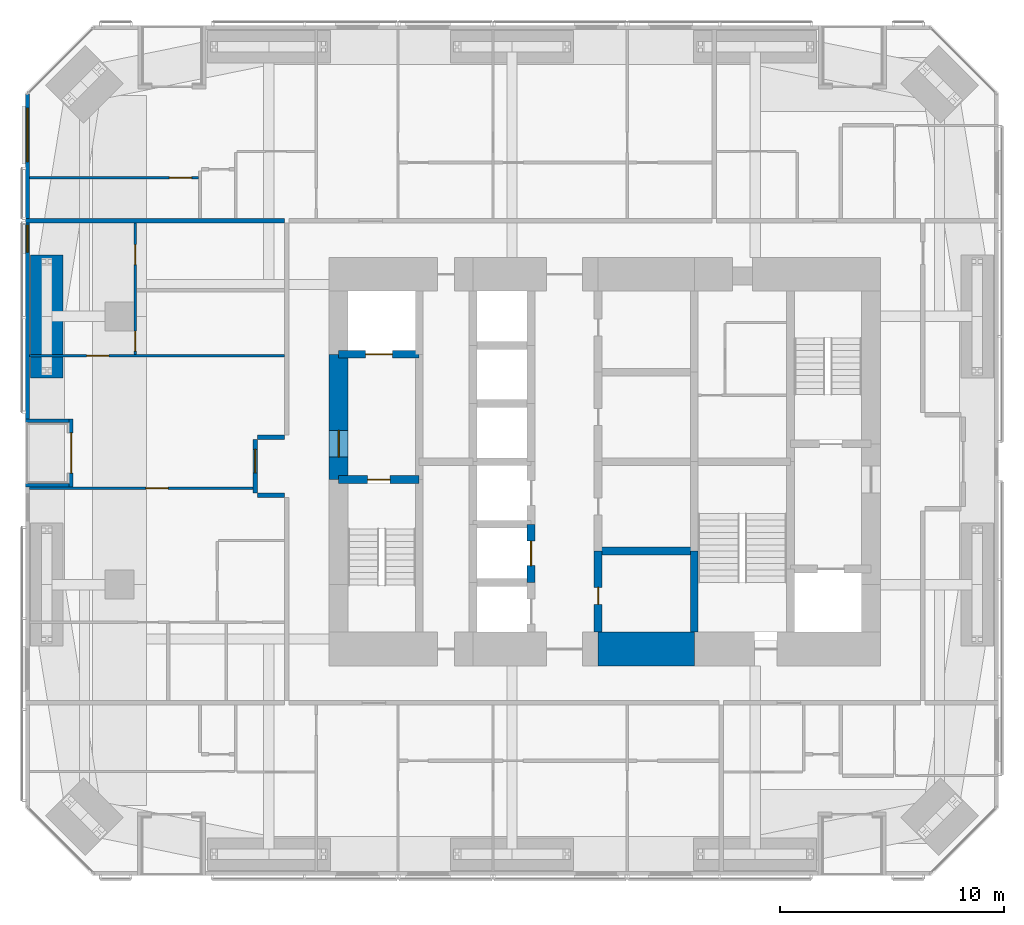
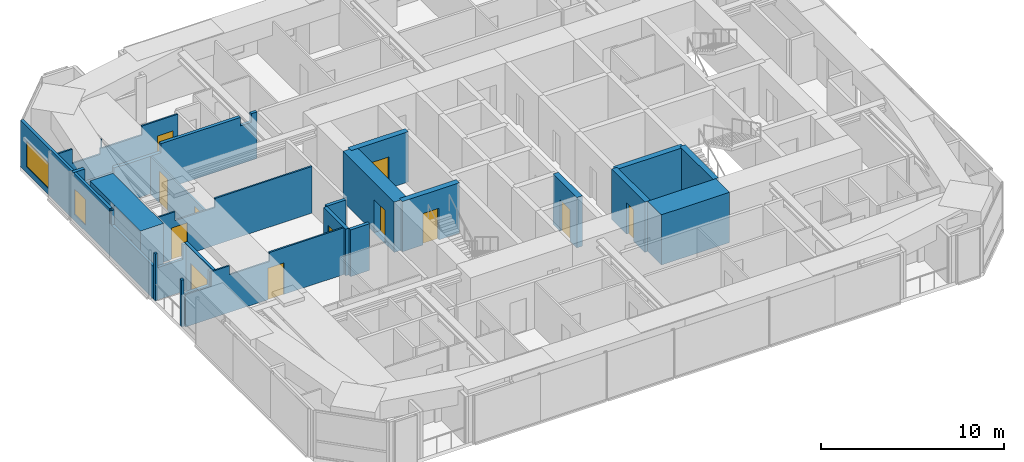
# One storey, part 18 of 23: 21 walls, 12 doors, 2 windows, 14 openings.
"""IFC4 building model written with IfcOpenShell, lengths in metres."""

from ifc_helpers import new_model, si_unit, direction, frame, frame_2d, origin, place, context, subcontext, project, spatial, polyline, rectangle, outline, extrude, material, layer, layer_set, constituent, constituent_set, type_object, element, fill, save


model = new_model("IFC4")

# Units and contexts
model_context = context("Model", 3, precision=1e-05, world=origin(), true_north=direction((0.0, 1.0)))
body_context = subcontext(model_context, "Body", "Model", "MODEL_VIEW")
ifc_project = project(units=[si_unit("LENGTHUNIT", "METRE"), si_unit("AREAUNIT", "SQUARE_METRE"), si_unit("VOLUMEUNIT", "CUBIC_METRE"), si_unit("PLANEANGLEUNIT", "RADIAN"), si_unit("MASSUNIT", "GRAM", prefix="KILO")], contexts=[model_context])

# Site, building, storey
site_placement = place(None, origin())
site = spatial("IfcSite", under=ifc_project, at=site_placement, CompositionType="ELEMENT")
building_placement = place(site_placement, origin())
building = spatial("IfcBuilding", under=site, at=building_placement, Name="Jalousie Tower", CompositionType="ELEMENT")
storey_placement = place(building_placement, frame((0.0, 0.0, 114.89990234375)))
storey = spatial("IfcBuildingStorey", under=building, at=storey_placement, Name="L31", CompositionType="ELEMENT", Elevation=114.89990234375)

# Wall
ifc_material_1 = material(Name="Concrete f'c 120 MPa", Category="concrete")
ifc_layer_1 = layer(ifc_material_1, 1.5)
ifc_layer_set_1 = layer_set([ifc_layer_1], Name="Concrete f'c 120 MPa")
wall_type_1 = type_object("IfcWallType", Name="CORE WALL 1500", PredefinedType="SHEAR", material=ifc_layer_set_1)
wall_1_placement = place(storey_placement, frame((31.60009765625, 10.125, 0.0), z_axis=(0.0, 0.0, 1.0), x_axis=(1.0, 0.0, 0.0)))
element("IfcWall", 1, at=wall_1_placement, inside=storey, type_object=wall_type_1, Name="Core wall SC L31", PredefinedType="SHEAR", context=body_context, shape_type="SweptSolid", body=[
    extrude(rectangle(XDim=4.2998046875, YDim=1.5, at=frame_2d((2.14990234375, 0.0))), origin(), (0.0, 0.0, 1.0), 3.35009765625),
])

# Wall, opening, door
ifc_material_2 = material(Name="Concrete f'c 120 MPa", Category="concrete")
ifc_layer_2 = layer(ifc_material_2, 0.35009765625)
ifc_layer_set_2 = layer_set([ifc_layer_2], Name="Concrete f'c 120 MPa")
wall_type_2 = type_object("IfcWallType", Name="CORE WALL 350", PredefinedType="SHEAR", material=ifc_layer_set_2)
wall_2_placement = place(storey_placement, frame((28.60009765625, 13.10009765625, 0.0), z_axis=(0.0, 0.0, 1.0), x_axis=(0.0, 1.0, 0.0)))
wall_2 = element("IfcWall", 2, at=wall_2_placement, inside=storey, type_object=wall_type_2, Name="Core wall X28.6B L31", PredefinedType="SHEAR", context=body_context, shape_type="SweptSolid", body=[
    extrude(rectangle(XDim=2.599853515625, YDim=0.35009765625, at=frame_2d((1.2998046875, 0.0))), origin(), (0.0, 0.0, 1.0), 3.35009765625),
])
opening_1_placement = place(wall_2_placement, frame((0.75, 0.0, 0.0)))
opening_1 = element("IfcOpeningElement", 3, at=opening_1_placement, cuts=wall_2, Name="Opening LD1", PredefinedType="OPENING", context=body_context, shape_type="SweptSolid", body=[
    extrude(rectangle(XDim=1.10009765625, YDim=2.10009765625, at=frame_2d((0.550048828125, 1.050048828125))), frame((0.0, 0.18505859375, 0.0), z_axis=(0.0, -1.0, 0.0), x_axis=(1.0, 0.0, 0.0)), (0.0, 0.0, 1.0), 0.3701171875),
])
ifc_material_3 = material(Name="Steel lift landing door", Category="steel")
door_type_1 = type_object("IfcDoorType", Name="LIFT LANDING DOOR 1100", OperationType="SLIDING_TO_LEFT", PredefinedType="DOOR", material=ifc_material_3)
door_1_placement = place(opening_1_placement, origin())
door_1 = element("IfcDoor", 4, at=door_1_placement, inside=storey, type_object=door_type_1, Name="Lift P2 landing door", OperationType="SLIDING_TO_LEFT", OverallHeight=2.10009765625, OverallWidth=1.10009765625, PredefinedType="DOOR", context=body_context, shape_type="SweptSolid", body=[
    extrude(rectangle(XDim=1.10009765625, YDim=2.10009765625, at=frame_2d((0.550048828125, 1.050048828125))), frame((0.0, 0.02490234375, 0.0), z_axis=(0.0, -1.0, 0.0), x_axis=(1.0, 0.0, 0.0)), (0.0, 0.0, 1.0), 0.050048828125),
])
fill(opening_1, door_1)

wall_3_placement = place(storey_placement, frame((31.60009765625, 10.875, 0.0), z_axis=(0.0, 0.0, 1.0), x_axis=(0.0, 1.0, 0.0)))
wall_3 = element("IfcWall", 5, at=wall_3_placement, inside=storey, type_object=wall_type_2, Name="Core wall X31.6A L31", PredefinedType="SHEAR", context=body_context, shape_type="SweptSolid", body=[
    extrude(rectangle(XDim=3.625, YDim=0.35009765625, at=frame_2d((1.8125, 0.0))), origin(), (0.0, 0.0, 1.0), 3.35009765625),
])
opening_2_placement = place(wall_3_placement, frame((1.25, 0.0, 0.0)))
opening_2 = element("IfcOpeningElement", 6, at=opening_2_placement, cuts=wall_3, Name="Opening D16", PredefinedType="OPENING", context=body_context, shape_type="SweptSolid", body=[
    extrude(rectangle(XDim=0.75, YDim=2.10009765625, at=frame_2d((0.375, 1.050048828125))), frame((0.0, 0.18505859375, 0.0), z_axis=(0.0, -1.0, 0.0), x_axis=(1.0, 0.0, 0.0)), (0.0, 0.0, 1.0), 0.3701171875),
])
ifc_material_4 = material(Name="Steel fire door", Category="steel")
door_type_2 = type_object("IfcDoorType", Name="RISER DOOR 750", OperationType="SINGLE_SWING_LEFT", PredefinedType="DOOR", material=ifc_material_4)
door_2_placement = place(opening_2_placement, frame((0.75, 0.0, 0.0), z_axis=(0.0, 0.0, 1.0), x_axis=(-1.0, 0.0, 0.0)))
door_2 = element("IfcDoor", 7, at=door_2_placement, inside=storey, type_object=door_type_2, Name="Refuse Room door", OperationType="SINGLE_SWING_RIGHT", OverallHeight=2.10009765625, OverallWidth=0.75, PredefinedType="DOOR", context=body_context, shape_type="SweptSolid", body=[
    extrude(rectangle(XDim=0.75, YDim=2.10009765625, at=frame_2d((0.375, 1.050048828125))), frame((0.0, 0.02490234375, 0.0), z_axis=(0.0, -1.0, 0.0), x_axis=(1.0, 0.0, 0.0)), (0.0, 0.0, 1.0), 0.050048828125),
])
fill(opening_2, door_2)

# Wall
wall_4_placement = place(storey_placement, frame((35.89990234375, 10.875, 0.0), z_axis=(0.0, 0.0, 1.0), x_axis=(0.0, 1.0, 0.0)))
element("IfcWall", 8, at=wall_4_placement, inside=storey, type_object=wall_type_2, Name="Core wall X35.9A L31", PredefinedType="SHEAR", context=body_context, shape_type="SweptSolid", body=[
    extrude(rectangle(XDim=3.625, YDim=0.35009765625, at=frame_2d((1.8125, 0.0))), origin(), (0.0, 0.0, 1.0), 3.35009765625),
])

# Wall, opening, door
wall_5_placement = place(storey_placement, frame((20.0, 17.699951171875, 0.0), z_axis=(0.0, 0.0, 1.0), x_axis=(1.0, 0.0, 0.0)))
wall_5 = element("IfcWall", 9, at=wall_5_placement, inside=storey, type_object=wall_type_2, Name="Core wall Y20-17.7 L31", PredefinedType="SHEAR", context=body_context, shape_type="SweptSolid", body=[
    extrude(rectangle(XDim=3.60009765625, YDim=0.35009765625, at=frame_2d((1.800048828125, 0.0))), origin(), (0.0, 0.0, 1.0), 3.35009765625),
])
opening_3_placement = place(wall_5_placement, frame((1.300048828125, 0.0, 0.0)))
opening_3 = element("IfcOpeningElement", 10, at=opening_3_placement, cuts=wall_5, Name="Opening D10", PredefinedType="OPENING", context=body_context, shape_type="SweptSolid", body=[
    extrude(rectangle(XDim=1.0, YDim=2.10009765625, at=frame_2d((0.5, 1.050048828125))), frame((0.0, 0.18505859375, 0.0), z_axis=(0.0, -1.0, 0.0), x_axis=(1.0, 0.0, 0.0)), (0.0, 0.0, 1.0), 0.3701171875),
])
ifc_material_5 = material(Name="Steel fire door", Category="steel")
door_type_3 = type_object("IfcDoorType", Name="STAIR DOOR 1000", OperationType="SINGLE_SWING_LEFT", PredefinedType="DOOR", material=ifc_material_5)
door_3_placement = place(opening_3_placement, frame((1.0, 0.0, 0.0), z_axis=(0.0, 0.0, 1.0), x_axis=(-1.0, 0.0, 0.0)))
door_3 = element("IfcDoor", 11, at=door_3_placement, inside=storey, type_object=door_type_3, Name="Exit stair A door", OperationType="SINGLE_SWING_RIGHT", OverallHeight=2.10009765625, OverallWidth=1.0, PredefinedType="DOOR", context=body_context, shape_type="SweptSolid", body=[
    extrude(rectangle(XDim=1.0, YDim=2.10009765625, at=frame_2d((0.5, 1.050048828125))), frame((0.0, 0.02490234375, 0.0), z_axis=(0.0, -1.0, 0.0), x_axis=(1.0, 0.0, 0.0)), (0.0, 0.0, 1.0), 0.050048828125),
])
fill(opening_3, door_3)

wall_6_placement = place(storey_placement, frame((20.0, 23.300048828125, 0.0), z_axis=(0.0, 0.0, 1.0), x_axis=(1.0, 0.0, 0.0)))
wall_6 = element("IfcWall", 12, at=wall_6_placement, inside=storey, type_object=wall_type_2, Name="Core wall Y20-23.3 L31", PredefinedType="SHEAR", context=body_context, shape_type="SweptSolid", body=[
    extrude(rectangle(XDim=3.60009765625, YDim=0.35009765625, at=frame_2d((1.800048828125, 0.0))), origin(), (0.0, 0.0, 1.0), 3.35009765625),
])
opening_4_placement = place(wall_6_placement, frame((1.199951171875, 0.0, 0.0)))
opening_4 = element("IfcOpeningElement", 13, at=opening_4_placement, cuts=wall_6, Name="Opening LD2", PredefinedType="OPENING", context=body_context, shape_type="SweptSolid", body=[
    extrude(rectangle(XDim=1.199951171875, YDim=2.10009765625, at=frame_2d((0.60009765625, 1.050048828125))), frame((0.0, 0.18505859375, 0.0), z_axis=(0.0, -1.0, 0.0), x_axis=(1.0, 0.0, 0.0)), (0.0, 0.0, 1.0), 0.3701171875),
])
ifc_material_6 = material(Name="Steel lift landing door", Category="steel")
door_type_4 = type_object("IfcDoorType", Name="LIFT LANDING DOOR 1200", OperationType="SLIDING_TO_LEFT", PredefinedType="DOOR", material=ifc_material_6)
door_4_placement = place(opening_4_placement, origin())
door_4 = element("IfcDoor", 14, at=door_4_placement, inside=storey, type_object=door_type_4, Name="Lift F1 landing door", OperationType="SLIDING_TO_LEFT", OverallHeight=2.10009765625, OverallWidth=1.199951171875, PredefinedType="DOOR", context=body_context, shape_type="SweptSolid", body=[
    extrude(rectangle(XDim=1.199951171875, YDim=2.10009765625, at=frame_2d((0.60009765625, 1.050048828125))), frame((0.0, 0.02490234375, 0.0), z_axis=(0.0, -1.0, 0.0), x_axis=(1.0, 0.0, 0.0)), (0.0, 0.0, 1.0), 0.050048828125),
])
fill(opening_4, door_4)

# Wall
wall_7_placement = place(storey_placement, frame((31.60009765625, 14.5, 0.0), z_axis=(0.0, 0.0, 1.0), x_axis=(1.0, 0.0, 0.0)))
element("IfcWall", 15, at=wall_7_placement, inside=storey, type_object=wall_type_2, Name="Core wall Y31.6-14.5 L31", PredefinedType="SHEAR", context=body_context, shape_type="SweptSolid", body=[
    extrude(rectangle(XDim=4.2998046875, YDim=0.35009765625, at=frame_2d((2.14990234375, 0.0))), origin(), (0.0, 0.0, 1.0), 3.35009765625),
])

# Wall, opening, door
ifc_material_7 = material(Name="Concrete f'c 120 MPa", Category="concrete")
ifc_layer_3 = layer(ifc_material_7, 0.85009765625)
ifc_layer_set_3 = layer_set([ifc_layer_3], Name="Concrete f'c 120 MPa")
wall_type_3 = type_object("IfcWallType", Name="CORE WALL 850", PredefinedType="SHEAR", material=ifc_layer_set_3)
wall_8_placement = place(storey_placement, frame((20.0, 23.300048828125, 0.0), z_axis=(0.0, 0.0, 1.0), x_axis=(0.0, -1.0, 0.0)))
wall_8 = element("IfcWall", 16, at=wall_8_placement, inside=storey, type_object=wall_type_3, Name="Core wall WB L31", PredefinedType="SHEAR", context=body_context, shape_type="SweptSolid", body=[
    extrude(rectangle(XDim=5.60009765625, YDim=0.85009765625, at=frame_2d((2.800048828125, 0.0))), origin(), (0.0, 0.0, 1.0), 3.35009765625),
])
opening_5_placement = place(wall_8_placement, frame((3.39990234375, 0.0, 0.0)))
opening_5 = element("IfcOpeningElement", 17, at=opening_5_placement, cuts=wall_8, Name="Opening D11", PredefinedType="OPENING", context=body_context, shape_type="SweptSolid", body=[
    extrude(rectangle(XDim=1.199951171875, YDim=2.199951171875, at=frame_2d((0.60009765625, 1.10009765625))), frame((0.0, 0.43505859375, 0.0), z_axis=(0.0, -1.0, 0.0), x_axis=(1.0, 0.0, 0.0)), (0.0, 0.0, 1.0), 0.8701171875),
])
ifc_material_8 = material(Name="Steel fire door", Category="steel")
door_type_5 = type_object("IfcDoorType", Name="FIRE DOOR 1200", OperationType="SINGLE_SWING_LEFT", PredefinedType="DOOR", material=ifc_material_8)
door_5_placement = place(opening_5_placement, origin())
door_5 = element("IfcDoor", 18, at=door_5_placement, inside=storey, type_object=door_type_5, Name="Fire-fighting lobby A door", OperationType="SINGLE_SWING_RIGHT", OverallHeight=2.199951171875, OverallWidth=1.199951171875, PredefinedType="DOOR", context=body_context, shape_type="SweptSolid", body=[
    extrude(rectangle(XDim=1.199951171875, YDim=2.199951171875, at=frame_2d((0.60009765625, 1.10009765625))), frame((0.0, 0.02490234375, 0.0), z_axis=(0.0, -1.0, 0.0), x_axis=(1.0, 0.0, 0.0)), (0.0, 0.0, 1.0), 0.050048828125),
])
fill(opening_5, door_5)

ifc_material_9 = material(Name="Concrete block ASTM C90", Category="concrete")
ifc_constituent_1 = constituent(ifc_material_9, Name="Body")
ifc_material_10 = material(Name="Render")
ifc_constituent_2 = constituent(ifc_material_10, Name="Finish")
ifc_constituent_set_1 = constituent_set(constituents=[ifc_constituent_1, ifc_constituent_2])
wall_type_4 = type_object("IfcWallType", Name="CORRIDOR WALL 200", PredefinedType="PARTITIONING", material=ifc_constituent_set_1)
wall_9_placement = place(storey_placement, frame((16.27490234375, 17.10009765625, 0.0), z_axis=(0.0, 0.0, 1.0), x_axis=(0.0, 1.0, 0.0)))
wall_9 = element("IfcWall", 19, at=wall_9_placement, inside=storey, type_object=wall_type_4, Name="Corridor Wall 200 L31", PredefinedType="PARTITIONING", context=body_context, shape_type="SweptSolid", body=[
    extrude(rectangle(XDim=2.39990234375, YDim=0.199951171875, at=frame_2d((1.199951171875, 0.0))), origin(), (0.0, 0.0, 1.0), 3.110107421875),
])
opening_6_placement = place(wall_9_placement, frame((0.89990234375, 0.0, 0.0)))
opening_6 = element("IfcOpeningElement", 20, at=opening_6_placement, cuts=wall_9, Name="Opening D1", PredefinedType="OPENING", context=body_context, shape_type="SweptSolid", body=[
    extrude(rectangle(XDim=1.050048828125, YDim=2.199951171875, at=frame_2d((0.52490234375, 1.10009765625))), frame((0.0, 0.10986328125, 0.0), z_axis=(0.0, -1.0, 0.0), x_axis=(1.0, 0.0, 0.0)), (0.0, 0.0, 1.0), 0.219970703125),
])
ifc_material_11 = material(Name="Timber fire door", Category="wood")
door_type_6 = type_object("IfcDoorType", Name="APARTMENT ENTRANCE DOOR 1050", OperationType="SINGLE_SWING_LEFT", PredefinedType="DOOR", material=ifc_material_11)
door_6_placement = place(opening_6_placement, origin())
door_6 = element("IfcDoor", 21, at=door_6_placement, inside=storey, type_object=door_type_6, Name="Apartment 3105 entrance", OperationType="SINGLE_SWING_LEFT", OverallHeight=2.199951171875, OverallWidth=1.050048828125, PredefinedType="DOOR", context=body_context, shape_type="SweptSolid", body=[
    extrude(rectangle(XDim=1.050048828125, YDim=2.199951171875, at=frame_2d((0.52490234375, 1.10009765625))), frame((0.0, 0.02490234375, 0.0), z_axis=(0.0, -1.0, 0.0), x_axis=(1.0, 0.0, 0.0)), (0.0, 0.0, 1.0), 0.050048828125),
])
fill(opening_6, door_6)

# Walls
for number, where, z_axis, x_axis, name in (
    (22, (17.574951171875, 17.0, 0.0), (0.0, 0.0, 1.0), (-1.0, 0.0, 0.0), "Corridor Wall 200 L31"),
    (23, (17.574951171875, 19.60009765625, 0.0), (0.0, 0.0, 1.0), (-1.0, 0.0, 0.0), "Corridor Wall 200 L31"),
):
    element("IfcWall", number, at=place(storey_placement, frame(where, z_axis=z_axis, x_axis=x_axis)), inside=storey, type_object=wall_type_4, Name=name, PredefinedType="PARTITIONING", context=body_context, shape_type="SweptSolid", body=[
        extrude(rectangle(XDim=1.199951171875, YDim=0.199951171875, at=frame_2d((0.60009765625, 0.0))), origin(), (0.0, 0.0, 1.0), 3.110107421875),
    ])

# Wall, openings, windows
ifc_material_12 = material(Name="Concrete f'c 40 MPa", Category="concrete")
ifc_constituent_3 = constituent(ifc_material_12, Name="Body")
ifc_material_13 = material(Name="Render, pastel sea green")
ifc_constituent_4 = constituent(ifc_material_13, Name="Finish")
ifc_constituent_set_2 = constituent_set(constituents=[ifc_constituent_3, ifc_constituent_4])
wall_type_5 = type_object("IfcWallType", Name="EXTERNAL WALL 175 SEA GREEN RENDER", PredefinedType="SOLIDWALL", material=ifc_constituent_set_2)
wall_10_placement = place(storey_placement, frame((6.08740234375, 34.94873046875, 0.0), z_axis=(0.0, 0.0, 1.0), x_axis=(0.0, -1.0, 0.0)))
wall_10 = element("IfcWall", 24, at=wall_10_placement, inside=storey, type_object=wall_type_5, Name="External Wall 175 Sea Green Render L31", PredefinedType="SOLIDWALL", context=body_context, shape_type="SweptSolid", body=[
    extrude(outline(polyline([(0.0, 0.0), (14.531982421875, 0.0), (14.531982421875, 2.150146484375), (9.94873046875, 2.150146484375), (9.94873046875, 3.110107421875), (9.822998046875, 3.110107421875), (9.822998046875, 2.150146484375), (9.72998046875, 2.150146484375), (9.72998046875, 3.110107421875), (0.0, 3.110107421875), (0.0, 0.0)])), frame((0.0, 0.08740234375, 0.0), z_axis=(0.0, -1.0, 0.0), x_axis=(1.0, 0.0, 0.0)), (0.0, 0.0, 1.0), 0.175048828125),
])
opening_7_placement = place(wall_10_placement, frame((0.636474609375, 0.0, 0.39990234375)))
opening_7 = element("IfcOpeningElement", 25, at=opening_7_placement, cuts=wall_10, Name="Opening W-LIV170", PredefinedType="OPENING", context=body_context, shape_type="SweptSolid", body=[
    extrude(rectangle(XDim=2.39990234375, YDim=1.699951171875, at=frame_2d((1.199951171875, 0.85009765625))), frame((0.0, 0.097412109375, 0.0), z_axis=(0.0, -1.0, 0.0), x_axis=(1.0, 0.0, 0.0)), (0.0, 0.0, 1.0), 0.195068359375),
])
opening_8_placement = place(wall_10_placement, frame((5.873779296875, 0.0, 0.39990234375)))
opening_8 = element("IfcOpeningElement", 26, at=opening_8_placement, cuts=wall_10, Name="Opening W-COR170", PredefinedType="OPENING", context=body_context, shape_type="SweptSolid", body=[
    extrude(rectangle(XDim=1.199951171875, YDim=1.699951171875, at=frame_2d((0.60009765625, 0.85009765625))), frame((0.0, 0.097412109375, 0.0), z_axis=(0.0, -1.0, 0.0), x_axis=(1.0, 0.0, 0.0)), (0.0, 0.0, 1.0), 0.195068359375),
])
ifc_material_14 = material(Name="Aluminium frame, impact-rated glazing", Category="aluminium")
window_type_1 = type_object("IfcWindowType", Name="WINDOW COR 1200x1700", PartitioningType="SINGLE_PANEL", PredefinedType="WINDOW", material=ifc_material_14)
window_1_placement = place(opening_8_placement, origin())
window_1 = element("IfcWindow", 27, at=window_1_placement, inside=storey, type_object=window_type_1, Name="Apartment 3105 bedroom 2 window", OverallHeight=1.699951171875, OverallWidth=1.199951171875, PartitioningType="SINGLE_PANEL", PredefinedType="WINDOW", context=body_context, shape_type="SweptSolid", body=[
    extrude(rectangle(XDim=1.199951171875, YDim=1.699951171875, at=frame_2d((0.60009765625, 0.85009765625))), frame((0.0, 0.030029296875, 0.0), z_axis=(0.0, -1.0, 0.0), x_axis=(1.0, 0.0, 0.0)), (0.0, 0.0, 1.0), 0.06005859375),
])
fill(opening_8, window_1)
ifc_material_15 = material(Name="Aluminium frame, impact-rated glazing", Category="aluminium")
window_type_2 = type_object("IfcWindowType", Name="WINDOW LIV 2400x1700", PartitioningType="DOUBLE_PANEL_VERTICAL", PredefinedType="WINDOW", material=ifc_material_15)
window_2_placement = place(opening_7_placement, origin())
window_2 = element("IfcWindow", 28, at=window_2_placement, inside=storey, type_object=window_type_2, Name="Apartment 3103 living and dining room window", OverallHeight=1.699951171875, OverallWidth=2.39990234375, PartitioningType="SINGLE_PANEL", PredefinedType="WINDOW", context=body_context, shape_type="SweptSolid", body=[
    extrude(rectangle(XDim=2.39990234375, YDim=1.699951171875, at=frame_2d((1.199951171875, 0.85009765625))), frame((0.0, 0.030029296875, 0.0), z_axis=(0.0, -1.0, 0.0), x_axis=(1.0, 0.0, 0.0)), (0.0, 0.0, 1.0), 0.06005859375),
])
fill(opening_7, window_2)

# Wall, opening, door
wall_11_placement = place(storey_placement, frame((8.03759765625, 20.416748046875, 0.0), z_axis=(0.0, 0.0, 1.0), x_axis=(0.0, -1.0, 0.0)))
wall_11 = element("IfcWall", 29, at=wall_11_placement, inside=storey, type_object=wall_type_5, Name="External Wall 175 Sea Green Render L31", PredefinedType="SOLIDWALL", context=body_context, shape_type="SweptSolid", body=[
    extrude(rectangle(XDim=3.058349609375, YDim=0.175048828125, at=frame_2d((1.529296875, 0.0))), origin(), (0.0, 0.0, 1.0), 3.110107421875),
])
opening_9_placement = place(wall_11_placement, frame((0.629150390625, 0.0, 0.0)))
opening_9 = element("IfcOpeningElement", 30, at=opening_9_placement, cuts=wall_11, Name="Opening D-BAL21", PredefinedType="OPENING", context=body_context, shape_type="SweptSolid", body=[
    extrude(rectangle(XDim=1.800048828125, YDim=2.10009765625, at=frame_2d((0.89990234375, 1.050048828125))), frame((0.0, 0.097412109375, 0.0), z_axis=(0.0, -1.0, 0.0), x_axis=(1.0, 0.0, 0.0)), (0.0, 0.0, 1.0), 0.195068359375),
])
ifc_material_16 = material(Name="Aluminium frame, impact-rated glazing", Category="aluminium")
door_type_7 = type_object("IfcDoorType", Name="BALCONY DOOR 1800x2100", OperationType="SLIDING_TO_LEFT", PredefinedType="DOOR", material=ifc_material_16)
door_7_placement = place(opening_9_placement, origin())
door_7 = element("IfcDoor", 31, at=door_7_placement, inside=storey, type_object=door_type_7, Name="Apartment 3105 living room loggia door", OperationType="SLIDING_TO_LEFT", OverallHeight=2.10009765625, OverallWidth=1.800048828125, PredefinedType="DOOR", context=body_context, shape_type="SweptSolid", body=[
    extrude(rectangle(XDim=1.800048828125, YDim=2.10009765625, at=frame_2d((0.89990234375, 1.050048828125))), frame((0.0, 0.02490234375, 0.0), z_axis=(0.0, -1.0, 0.0), x_axis=(1.0, 0.0, 0.0)), (0.0, 0.0, 1.0), 0.050048828125),
])
fill(opening_9, door_7)

# Walls
for number, where, z_axis, x_axis, name in (
    (32, (6.0, 20.3291015625, 0.0), (0.0, 0.0, 1.0), (1.0, 0.0, 0.0), "External Wall 175 Sea Green Render L31"),
    (33, (6.0, 17.44580078125, 0.0), (0.0, 0.0, 1.0), (1.0, 0.0, 0.0), "External Wall 175 Sea Green Render L31"),
):
    element("IfcWall", number, at=place(storey_placement, frame(where, z_axis=z_axis, x_axis=x_axis)), inside=storey, type_object=wall_type_5, Name=name, PredefinedType="SOLIDWALL", context=body_context, shape_type="SweptSolid", body=[
        extrude(outline(polyline([(0.0, 0.0), (1.949951171875, 0.0), (1.949951171875, 3.110107421875), (1.75, 3.110107421875), (1.75, 2.150146484375), (0.14990234375, 2.150146484375), (0.14990234375, 3.110107421875), (0.0, 3.110107421875), (0.0, 0.0)])), frame((0.0, 0.08740234375, 0.0), z_axis=(0.0, -1.0, 0.0), x_axis=(1.0, 0.0, 0.0)), (0.0, 0.0, 1.0), 0.175048828125),
    ])

# Wall, opening, door
ifc_material_17 = material(Name="Gypsum board", Category="gypsum")
ifc_constituent_5 = constituent(ifc_material_17, Name="Body")
ifc_material_18 = material(Name="Light-gauge steel studs ASTM A653 SS Grade 33", Category="steel")
ifc_constituent_6 = constituent(ifc_material_18, Name="Framing")
ifc_constituent_set_3 = constituent_set(constituents=[ifc_constituent_5, ifc_constituent_6])
wall_type_6 = type_object("IfcWallType", Name="PARTITION 100", PredefinedType="PARTITIONING", material=ifc_constituent_set_3)
wall_12_placement = place(storey_placement, frame((6.175048828125, 31.199951171875, 0.0), z_axis=(0.0, 0.0, 1.0), x_axis=(1.0, 0.0, 0.0)))
wall_12 = element("IfcWall", 34, at=wall_12_placement, inside=storey, type_object=wall_type_6, Name="Partition 100 L31", PredefinedType="PARTITIONING", context=body_context, shape_type="SweptSolid", body=[
    extrude(outline(polyline([(0.0, 0.0), (7.550048828125, 0.0), (7.550048828125, 3.110107421875), (5.284912109375, 3.110107421875), (5.284912109375, 2.510009765625), (2.764892578125, 2.510009765625), (2.764892578125, 3.110107421875), (2.74365234375, 3.110107421875), (2.74365234375, 2.541015625), (2.651611328125, 2.541015625), (2.651611328125, 2.150146484375), (0.9091796875, 2.150146484375), (0.9091796875, 3.110107421875), (0.0, 3.110107421875), (0.0, 0.0)])), frame((0.0, 0.050048828125, 0.0), z_axis=(0.0, -1.0, 0.0), x_axis=(1.0, 0.0, 0.0)), (0.0, 0.0, 1.0), 0.10009765625),
])
opening_10_placement = place(wall_12_placement, frame((6.25, 0.0, 0.0)))
opening_10 = element("IfcOpeningElement", 35, at=opening_10_placement, cuts=wall_12, Name="Opening D6", PredefinedType="OPENING", context=body_context, shape_type="SweptSolid", body=[
    extrude(rectangle(XDim=1.0, YDim=2.10009765625, at=frame_2d((0.5, 1.050048828125))), frame((0.0, 0.06005859375, 0.0), z_axis=(0.0, -1.0, 0.0), x_axis=(1.0, 0.0, 0.0)), (0.0, 0.0, 1.0), 0.1201171875),
])
ifc_material_19 = material(Name="Timber door", Category="wood")
door_type_8 = type_object("IfcDoorType", Name="INTERNAL DOOR 1000", OperationType="SINGLE_SWING_LEFT", PredefinedType="DOOR", material=ifc_material_19)
door_8_placement = place(opening_10_placement, origin())
door_8 = element("IfcDoor", 36, at=door_8_placement, inside=storey, type_object=door_type_8, Name="Apartment 3103 hall door", OperationType="SINGLE_SWING_RIGHT", OverallHeight=2.10009765625, OverallWidth=1.0, PredefinedType="DOOR", context=body_context, shape_type="SweptSolid", body=[
    extrude(rectangle(XDim=1.0, YDim=2.10009765625, at=frame_2d((0.5, 1.050048828125))), frame((0.0, 0.02490234375, 0.0), z_axis=(0.0, -1.0, 0.0), x_axis=(1.0, 0.0, 0.0)), (0.0, 0.0, 1.0), 0.050048828125),
])
fill(opening_10, door_8)

wall_13_placement = place(storey_placement, frame((6.175048828125, 17.308349609375, 0.0), z_axis=(0.0, 0.0, 1.0), x_axis=(1.0, 0.0, 0.0)))
wall_13 = element("IfcWall", 37, at=wall_13_placement, inside=storey, type_object=wall_type_6, Name="Partition 100 L31", PredefinedType="PARTITIONING", context=body_context, shape_type="SweptSolid", body=[
    extrude(outline(polyline([(0.0, 0.0), (10.0, 0.0), (10.0, 3.110107421875), (5.284912109375, 3.110107421875), (5.284912109375, 2.510009765625), (2.764892578125, 2.510009765625), (2.764892578125, 3.110107421875), (1.635009765625, 3.110107421875), (1.635009765625, 2.150146484375), (0.0, 2.150146484375), (0.0, 3.110107421875), (0.0, 0.0)])), frame((0.0, 0.050048828125, 0.0), z_axis=(0.0, -1.0, 0.0), x_axis=(1.0, 0.0, 0.0)), (0.0, 0.0, 1.0), 0.10009765625),
])
opening_11_placement = place(wall_13_placement, frame((5.199951171875, 0.0, 0.0)))
opening_11 = element("IfcOpeningElement", 38, at=opening_11_placement, cuts=wall_13, Name="Opening D6", PredefinedType="OPENING", context=body_context, shape_type="SweptSolid", body=[
    extrude(rectangle(XDim=1.0, YDim=2.10009765625, at=frame_2d((0.5, 1.050048828125))), frame((0.0, 0.06005859375, 0.0), z_axis=(0.0, -1.0, 0.0), x_axis=(1.0, 0.0, 0.0)), (0.0, 0.0, 1.0), 0.1201171875),
])
door_9_placement = place(opening_11_placement, frame((1.0, 0.0, 0.0), z_axis=(0.0, 0.0, 1.0), x_axis=(-1.0, 0.0, 0.0)))
door_9 = element("IfcDoor", 39, at=door_9_placement, inside=storey, type_object=door_type_8, Name="Apartment 3105 dining room door", OperationType="SINGLE_SWING_LEFT", OverallHeight=2.10009765625, OverallWidth=1.0, PredefinedType="DOOR", context=body_context, shape_type="SweptSolid", body=[
    extrude(rectangle(XDim=1.0, YDim=2.10009765625, at=frame_2d((0.5, 1.050048828125))), frame((0.0, 0.02490234375, 0.0), z_axis=(0.0, -1.0, 0.0), x_axis=(1.0, 0.0, 0.0)), (0.0, 0.0, 1.0), 0.050048828125),
])
fill(opening_11, door_9)

wall_14_placement = place(storey_placement, frame((6.175048828125, 23.24169921875, 0.0), z_axis=(0.0, 0.0, 1.0), x_axis=(1.0, 0.0, 0.0)))
wall_14 = element("IfcWall", 40, at=wall_14_placement, inside=storey, type_object=wall_type_6, Name="Partition 100 L31", PredefinedType="PARTITIONING", context=body_context, shape_type="SweptSolid", body=[
    extrude(outline(polyline([(0.52880859375, 2.150146484375), (0.0, 2.150146484375), (0.0, 0.0), (0.52880859375, 0.0), (0.52880859375, 0.267822265625), (1.021240234375, 0.267822265625), (1.021240234375, 0.0), (11.39990234375, 0.0), (11.39990234375, 3.110107421875), (5.284912109375, 3.110107421875), (5.284912109375, 2.510009765625), (2.764892578125, 2.510009765625), (2.764892578125, 3.110107421875), (1.635009765625, 3.110107421875), (1.635009765625, 2.150146484375), (1.021240234375, 2.150146484375), (1.021240234375, 1.88232421875), (0.52880859375, 1.88232421875), (0.52880859375, 2.150146484375)])), frame((0.0, 0.050048828125, 0.0), z_axis=(0.0, -1.0, 0.0), x_axis=(1.0, 0.0, 0.0)), (0.0, 0.0, 1.0), 0.10009765625),
])
opening_12_placement = place(wall_14_placement, frame((2.550048828125, 0.0, 0.0)))
opening_12 = element("IfcOpeningElement", 41, at=opening_12_placement, cuts=wall_14, Name="Opening D6", PredefinedType="OPENING", context=body_context, shape_type="SweptSolid", body=[
    extrude(rectangle(XDim=1.0, YDim=2.10009765625, at=frame_2d((0.5, 1.050048828125))), frame((0.0, 0.06005859375, 0.0), z_axis=(0.0, -1.0, 0.0), x_axis=(1.0, 0.0, 0.0)), (0.0, 0.0, 1.0), 0.1201171875),
])
door_10_placement = place(opening_12_placement, origin())
door_10 = element("IfcDoor", 42, at=door_10_placement, inside=storey, type_object=door_type_8, Name="Apartment 3105 bedroom 2 door", OperationType="SINGLE_SWING_LEFT", OverallHeight=2.10009765625, OverallWidth=1.0, PredefinedType="DOOR", context=body_context, shape_type="SweptSolid", body=[
    extrude(rectangle(XDim=1.0, YDim=2.10009765625, at=frame_2d((0.5, 1.050048828125))), frame((0.0, 0.02490234375, 0.0), z_axis=(0.0, -1.0, 0.0), x_axis=(1.0, 0.0, 0.0)), (0.0, 0.0, 1.0), 0.050048828125),
])
fill(opening_12, door_10)

# Wall, openings, doors
wall_15_placement = place(storey_placement, frame((10.89990234375, 23.291748046875, 0.0), z_axis=(0.0, 0.0, 1.0), x_axis=(0.0, 1.0, 0.0)))
wall_15 = element("IfcWall", 43, at=wall_15_placement, inside=storey, type_object=wall_type_6, Name="Partition 100 L31", PredefinedType="PARTITIONING", context=body_context, shape_type="SweptSolid", body=[
    extrude(outline(polyline([(0.0, 0.0), (5.88330078125, 0.0), (5.88330078125, 3.110107421875), (5.88330078125, 2.510009765625), (1.768310546875, 2.510009765625), (0.0, 2.510009765625), (0.0, 3.110107421875), (0.0, 0.0)])), frame((0.0, 0.050048828125, 0.0), z_axis=(0.0, -1.0, 0.0), x_axis=(1.0, 0.0, 0.0)), (0.0, 0.0, 1.0), 0.10009765625),
])
opening_13_placement = place(wall_15_placement, frame((0.14990234375, 0.0, 0.0)))
opening_13 = element("IfcOpeningElement", 44, at=opening_13_placement, cuts=wall_15, Name="Opening D7", PredefinedType="OPENING", context=body_context, shape_type="SweptSolid", body=[
    extrude(rectangle(XDim=0.89990234375, YDim=2.10009765625, at=frame_2d((0.449951171875, 1.050048828125))), frame((0.0, 0.06005859375, 0.0), z_axis=(0.0, -1.0, 0.0), x_axis=(1.0, 0.0, 0.0)), (0.0, 0.0, 1.0), 0.1201171875),
])
opening_14_placement = place(wall_15_placement, frame((4.0166015625, 0.0, 0.0)))
opening_14 = element("IfcOpeningElement", 45, at=opening_14_placement, cuts=wall_15, Name="Opening D7", PredefinedType="OPENING", context=body_context, shape_type="SweptSolid", body=[
    extrude(rectangle(XDim=0.89990234375, YDim=2.10009765625, at=frame_2d((0.449951171875, 1.050048828125))), frame((0.0, 0.06005859375, 0.0), z_axis=(0.0, -1.0, 0.0), x_axis=(1.0, 0.0, 0.0)), (0.0, 0.0, 1.0), 0.1201171875),
])
ifc_material_20 = material(Name="Timber door", Category="wood")
door_type_9 = type_object("IfcDoorType", Name="INTERNAL DOOR 900", OperationType="SINGLE_SWING_LEFT", PredefinedType="DOOR", material=ifc_material_20)
door_11_placement = place(opening_13_placement, frame((0.89990234375, 0.0, 0.0), z_axis=(0.0, 0.0, 1.0), x_axis=(-1.0, 0.0, 0.0)))
door_11 = element("IfcDoor", 46, at=door_11_placement, inside=storey, type_object=door_type_9, Name="Apartment 3105 bedroom 2 bathroom door", OperationType="SINGLE_SWING_RIGHT", OverallHeight=2.10009765625, OverallWidth=0.89990234375, PredefinedType="DOOR", context=body_context, shape_type="SweptSolid", body=[
    extrude(rectangle(XDim=0.89990234375, YDim=2.10009765625, at=frame_2d((0.449951171875, 1.050048828125))), frame((0.0, 0.02490234375, 0.0), z_axis=(0.0, -1.0, 0.0), x_axis=(1.0, 0.0, 0.0)), (0.0, 0.0, 1.0), 0.050048828125),
])
fill(opening_13, door_11)
door_12_placement = place(opening_14_placement, frame((0.89990234375, 0.0, 0.0), z_axis=(0.0, 0.0, 1.0), x_axis=(-1.0, 0.0, 0.0)))
door_12 = element("IfcDoor", 47, at=door_12_placement, inside=storey, type_object=door_type_9, Name="Apartment 3105 bedroom 2 dressing room door", OperationType="SINGLE_SWING_LEFT", OverallHeight=2.10009765625, OverallWidth=0.89990234375, PredefinedType="DOOR", context=body_context, shape_type="SweptSolid", body=[
    extrude(rectangle(XDim=0.89990234375, YDim=2.10009765625, at=frame_2d((0.449951171875, 1.050048828125))), frame((0.0, 0.02490234375, 0.0), z_axis=(0.0, -1.0, 0.0), x_axis=(1.0, 0.0, 0.0)), (0.0, 0.0, 1.0), 0.050048828125),
])
fill(opening_14, door_12)

# Walls
ifc_material_21 = material(Name="Concrete block ASTM C90", Category="concrete")
ifc_constituent_7 = constituent(ifc_material_21, Name="Body")
ifc_material_22 = material(Name="Render")
ifc_constituent_8 = constituent(ifc_material_22, Name="Finish")
ifc_constituent_set_4 = constituent_set(constituents=[ifc_constituent_7, ifc_constituent_8])
wall_type_7 = type_object("IfcWallType", Name="PARTY WALL 200", PredefinedType="PARTITIONING", material=ifc_constituent_set_4)
wall_16_placement = place(storey_placement, frame((6.0, 29.27490234375, 0.0), z_axis=(0.0, 0.0, 1.0), x_axis=(1.0, 0.0, 0.0)))
element("IfcWall", 48, at=wall_16_placement, inside=storey, type_object=wall_type_7, Name="Party Wall 200 L31", PredefinedType="PARTITIONING", context=body_context, shape_type="SweptSolid", body=[
    extrude(outline(polyline([(0.0, 0.0), (11.574951171875, 0.0), (11.574951171875, 3.110107421875), (11.21240234375, 3.110107421875), (11.21240234375, 2.541015625), (10.53759765625, 2.541015625), (10.53759765625, 3.110107421875), (5.510009765625, 3.110107421875), (5.510009765625, 2.510009765625), (2.96875, 2.510009765625), (2.96875, 2.541015625), (2.565185546875, 2.541015625), (2.565185546875, 2.150146484375), (0.721435546875, 2.150146484375), (0.721435546875, 3.110107421875), (0.0, 3.110107421875), (0.0, 0.0)])), frame((0.0, 0.10009765625, 0.0), z_axis=(0.0, -1.0, 0.0), x_axis=(1.0, 0.0, 0.0)), (0.0, 0.0, 1.0), 0.199951171875),
])
ifc_material_23 = material(Name="Concrete f'c 120 MPa", Category="concrete")
ifc_layer_4 = layer(ifc_material_23, 1.449951171875)
ifc_layer_set_4 = layer_set([ifc_layer_4], Name="Concrete f'c 120 MPa")
wall_type_8 = type_object("IfcWallType", Name="RC WALL PIER 1450", PredefinedType="SHEAR", material=ifc_layer_set_4)
wall_17_placement = place(storey_placement, frame((6.949951171875, 22.25, 0.0), z_axis=(0.0, 0.0, 1.0), x_axis=(0.0, 1.0, 0.0)))
element("IfcWall", 49, at=wall_17_placement, inside=storey, type_object=wall_type_8, Name="Wall pier 13 L31", PredefinedType="SHEAR", context=body_context, shape_type="SweptSolid", body=[
    extrude(rectangle(XDim=5.5, YDim=1.449951171875, at=frame_2d((2.75, 0.0))), origin(), (0.0, 0.0, 1.0), 3.35009765625),
])

save(model, "model.ifc")
